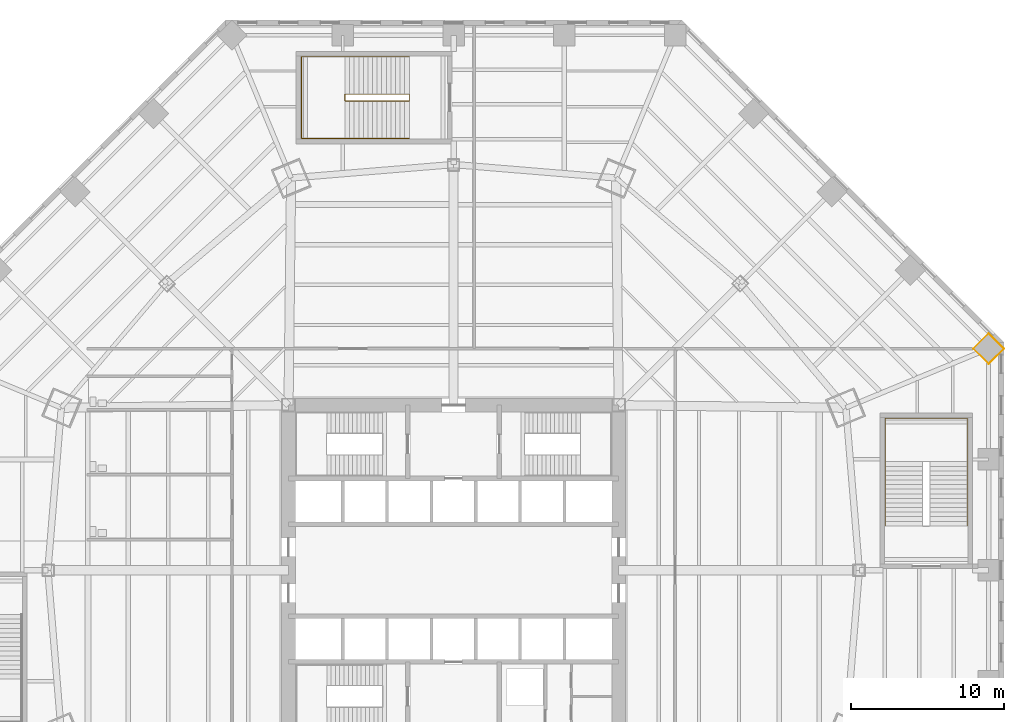
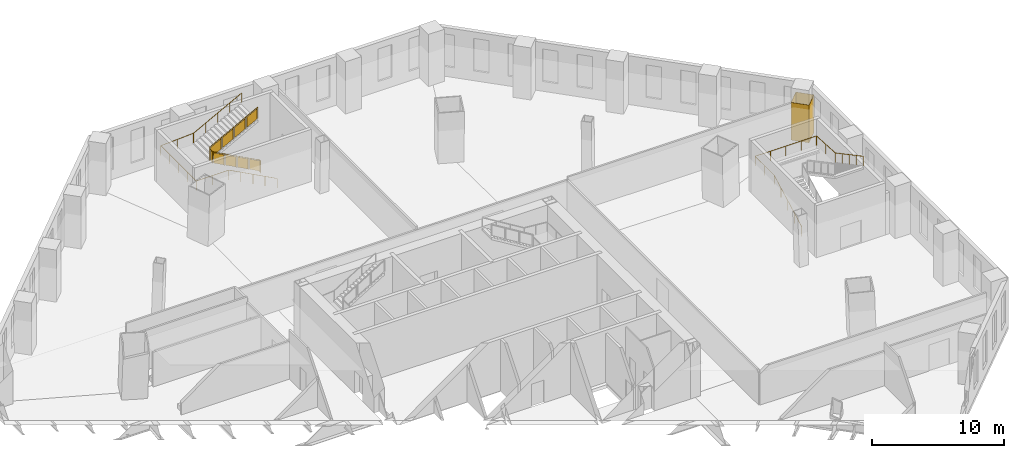
# One storey, part 18 of 19: 3 railings, 1 covering.
"""IFC4 building model written with IfcOpenShell, lengths in metres."""

from ifc_helpers import new_model, si_unit, direction, frame, origin, origin_2d, place, context, subcontext, project, spatial, polyline, circle, outline, extrude, material, layer, layer_set, type_object, element, save


model = new_model("IFC4")

# Units and contexts
model_context = context("Model", 3, precision=1e-05, world=origin(), true_north=direction((0.0, 1.0)))
body_context = subcontext(model_context, "Body", "Model", "MODEL_VIEW")
ifc_project = project(units=[si_unit("LENGTHUNIT", "METRE"), si_unit("AREAUNIT", "SQUARE_METRE"), si_unit("VOLUMEUNIT", "CUBIC_METRE"), si_unit("PLANEANGLEUNIT", "RADIAN"), si_unit("MASSUNIT", "GRAM", prefix="KILO")], contexts=[model_context])

# Site, building, storey
site_placement = place(None, origin())
site = spatial("IfcSite", under=ifc_project, at=site_placement, CompositionType="ELEMENT")
building_placement = place(site_placement, origin())
building = spatial("IfcBuilding", under=site, at=building_placement, Name="Mashrafa Tower", CompositionType="ELEMENT")
storey_placement = place(building_placement, frame((0.0, 0.0, 24.0)))
storey = spatial("IfcBuildingStorey", under=building, at=storey_placement, Name="L04", CompositionType="ELEMENT", Elevation=24.0)

# Covering
ifc_material_1 = material(Name="Gypsum board")
ifc_layer = layer(ifc_material_1, 0.014892578125)
ifc_layer_set = layer_set([ifc_layer], Name="Column casing plasterboard 15")
covering_type = type_object("IfcCoveringType", Name="Column casing plasterboard 15", PredefinedType="CLADDING", material=ifc_layer_set)
covering_placement = place(storey_placement, origin())
element("IfcCovering", 1, at=covering_placement, inside=storey, type_object=covering_type, Name="Column casing L04-001", PredefinedType="CLADDING", context=body_context, shape_type="SweptSolid", body=[
    extrude(outline(polyline([(33.98876953125, 14.49755859375), (35.0, 15.508544921875), (36.01123046875, 14.49755859375), (35.0, 13.486328125), (33.98876953125, 14.49755859375)]), holes=[polyline([(35.989990234375, 14.49755859375), (35.0, 15.4873046875), (34.010009765625, 14.49755859375), (35.0, 13.507568359375), (35.989990234375, 14.49755859375)])]), origin(), (0.0, 0.0, 1.0), 3.47900390625),
])

# Railings
ifc_material_2 = material(Name="Steel guard with glass infill", Category="steel")
railing_type_1 = type_object("IfcRailingType", Name="Stair guard 1100", PredefinedType="GUARDRAIL", material=ifc_material_2)
railing_1_placement = place(storey_placement, frame((-2.89990234375, 31.14990234375, 0.0)))
element("IfcRailing", 2, at=railing_1_placement, inside=storey, type_object=railing_type_1, Name="Stair P2 guard L04", PredefinedType="GUARDRAIL", context=body_context, shape_type="SweptSolid", body=[
    extrude(circle(Radius=0.02392578125, at=origin_2d()), frame((0.0, 0.0, 1.076171875), z_axis=(0.0, -1.0, 0.0), x_axis=(1.0, 0.0, 0.0)), (0.0, 0.0, 1.0), 0.449951171875),
    extrude(circle(Radius=0.02392578125, at=origin_2d()), frame((0.0, -0.449951171875, 1.076171875), z_axis=(0.0, 0.0, 1.0), x_axis=(1.0, 0.0, 0.0)), (0.0, 0.0, 1.0), 0.159912109375),
    extrude(circle(Radius=0.02392578125, at=origin_2d()), frame((0.0, -0.449951171875, 1.23583984375), z_axis=(-0.882362879185, 0.0, 0.470569601054), x_axis=(0.0, -1.0, 0.0)), (0.0, 0.0, 1.0), 4.76025390625),
    extrude(circle(Radius=0.02392578125, at=origin_2d()), frame((-4.2001953125, -0.449951171875, 3.47607421875), z_axis=(0.0, 1.0, 0.0), x_axis=(-1.0, 0.0, 0.0)), (0.0, 0.0, 1.0), 0.449951171875),
    extrude(circle(Radius=0.02392578125, at=origin_2d()), frame((-4.2001953125, 0.0, 3.47607421875), z_axis=(0.0, 0.0, 1.0), x_axis=(1.0, 0.0, 0.0)), (0.0, 0.0, 1.0), 0.16015625),
    extrude(circle(Radius=0.02392578125, at=origin_2d()), frame((-4.2001953125, 0.0, 3.63623046875), z_axis=(0.882362879185, 0.0, 0.470569601054), x_axis=(0.0, 1.0, 0.0)), (0.0, 0.0, 1.0), 4.76025390625),
    extrude(circle(Radius=0.02099609375, at=origin_2d()), origin(), (0.0, 0.0, 1.0), 1.052001953125),
    extrude(circle(Radius=0.02099609375, at=origin_2d()), frame((0.0, -0.449951171875, 0.0)), (0.0, 0.0, 1.0), 1.052001953125),
    extrude(circle(Radius=0.02099609375, at=origin_2d()), frame((0.0, -0.449951171875, 0.159912109375)), (0.0, 0.0, 1.0), 1.052001953125),
    extrude(circle(Radius=0.02099609375, at=origin_2d()), frame((-1.050048828125, -0.449951171875, 0.719970703125)), (0.0, 0.0, 1.0), 1.052001953125),
    extrude(circle(Radius=0.02099609375, at=origin_2d()), frame((-2.10009765625, -0.449951171875, 1.27978515625)), (0.0, 0.0, 1.0), 1.052001953125),
    extrude(circle(Radius=0.02099609375, at=origin_2d()), frame((-3.150146484375, -0.449951171875, 1.83984375)), (0.0, 0.0, 1.0), 1.052001953125),
    extrude(circle(Radius=0.02099609375, at=origin_2d()), frame((-4.2001953125, -0.449951171875, 2.39990234375)), (0.0, 0.0, 1.0), 1.052001953125),
    extrude(circle(Radius=0.02099609375, at=origin_2d()), frame((-4.2001953125, 0.0, 2.39990234375)), (0.0, 0.0, 1.0), 1.052001953125),
    extrude(circle(Radius=0.02099609375, at=origin_2d()), frame((-4.2001953125, 0.0, 2.56005859375)), (0.0, 0.0, 1.0), 1.052001953125),
    extrude(circle(Radius=0.02099609375, at=origin_2d()), frame((-3.150146484375, 0.0, 3.1201171875)), (0.0, 0.0, 1.0), 1.052001953125),
    extrude(circle(Radius=0.02099609375, at=origin_2d()), frame((-2.10009765625, 0.0, 3.68017578125)), (0.0, 0.0, 1.0), 1.052001953125),
    extrude(circle(Radius=0.02099609375, at=origin_2d()), frame((-1.050048828125, 0.0, 4.239990234375)), (0.0, 0.0, 1.0), 1.052001953125),
    extrude(circle(Radius=0.02099609375, at=origin_2d()), frame((0.0, 0.0, 4.800048828125)), (0.0, 0.0, 1.0), 1.052001953125),
    extrude(outline(polyline([(0.071044921875, 0.050048828125), (0.37890625, 0.050048828125), (0.37890625, 1.001953125), (0.071044921875, 1.001953125), (0.071044921875, 0.050048828125)])), frame((-0.006103515625, 0.0, 0.0), z_axis=(-1.0, 0.0, 0.0), x_axis=(0.0, -1.0, 0.0)), (0.0, 0.0, 1.0), 0.011962890625),
    extrude(outline(polyline([(0.071044921875, 0.087890625), (0.97900390625, 0.572021484375), (0.97900390625, 1.524169921875), (0.071044921875, 1.039794921875), (0.071044921875, 0.087890625)])), frame((0.0, -0.44384765625, 0.159912109375), z_axis=(0.0, 1.0, 0.0), x_axis=(-1.0, 0.0, 0.0)), (0.0, 0.0, 1.0), 0.011962890625),
    extrude(outline(polyline([(1.12109375, 0.64794921875), (2.029052734375, 1.132080078125), (2.029052734375, 2.084228515625), (1.12109375, 1.599853515625), (1.12109375, 0.64794921875)])), frame((0.0, -0.44384765625, 0.159912109375), z_axis=(0.0, 1.0, 0.0), x_axis=(-1.0, 0.0, 0.0)), (0.0, 0.0, 1.0), 0.011962890625),
    extrude(outline(polyline([(2.171142578125, 1.207763671875), (3.0791015625, 1.692138671875), (3.0791015625, 2.64404296875), (2.171142578125, 2.159912109375), (2.171142578125, 1.207763671875)])), frame((0.0, -0.44384765625, 0.159912109375), z_axis=(0.0, 1.0, 0.0), x_axis=(-1.0, 0.0, 0.0)), (0.0, 0.0, 1.0), 0.011962890625),
    extrude(outline(polyline([(3.22119140625, 1.767822265625), (4.129150390625, 2.252197265625), (4.129150390625, 3.2041015625), (3.22119140625, 2.719970703125), (3.22119140625, 1.767822265625)])), frame((0.0, -0.44384765625, 0.159912109375), z_axis=(0.0, 1.0, 0.0), x_axis=(-1.0, 0.0, 0.0)), (0.0, 0.0, 1.0), 0.011962890625),
    extrude(outline(polyline([(0.071044921875, 0.050048828125), (0.37890625, 0.050048828125), (0.37890625, 1.001953125), (0.071044921875, 1.001953125), (0.071044921875, 0.050048828125)])), frame((-4.194091796875, -0.449951171875, 2.39990234375), z_axis=(1.0, 0.0, 0.0), x_axis=(0.0, 1.0, 0.0)), (0.0, 0.0, 1.0), 0.011962890625),
    extrude(outline(polyline([(0.071044921875, 0.087890625), (0.97900390625, 0.572021484375), (0.97900390625, 1.524169921875), (0.071044921875, 1.039794921875), (0.071044921875, 0.087890625)])), frame((-4.2001953125, -0.006103515625, 2.56005859375), z_axis=(0.0, -1.0, 0.0), x_axis=(1.0, 0.0, 0.0)), (0.0, 0.0, 1.0), 0.011962890625),
    extrude(outline(polyline([(1.12109375, 0.64794921875), (2.029052734375, 1.132080078125), (2.029052734375, 2.084228515625), (1.12109375, 1.599853515625), (1.12109375, 0.64794921875)])), frame((-4.2001953125, -0.006103515625, 2.56005859375), z_axis=(0.0, -1.0, 0.0), x_axis=(1.0, 0.0, 0.0)), (0.0, 0.0, 1.0), 0.011962890625),
    extrude(outline(polyline([(2.171142578125, 1.207763671875), (3.0791015625, 1.692138671875), (3.0791015625, 2.64404296875), (2.171142578125, 2.159912109375), (2.171142578125, 1.207763671875)])), frame((-4.2001953125, -0.006103515625, 2.56005859375), z_axis=(0.0, -1.0, 0.0), x_axis=(1.0, 0.0, 0.0)), (0.0, 0.0, 1.0), 0.011962890625),
    extrude(outline(polyline([(3.22119140625, 1.767822265625), (4.129150390625, 2.252197265625), (4.129150390625, 3.2041015625), (3.22119140625, 2.719970703125), (3.22119140625, 1.767822265625)])), frame((-4.2001953125, -0.006103515625, 2.56005859375), z_axis=(0.0, -1.0, 0.0), x_axis=(1.0, 0.0, 0.0)), (0.0, 0.0, 1.0), 0.011962890625),
])
ifc_material_3 = material(Name="Steel", Category="steel")
railing_type_2 = type_object("IfcRailingType", Name="Stair handrail 900", PredefinedType="HANDRAIL", material=ifc_material_3)
railing_2_placement = place(storey_placement, frame((28.25, 2.89990234375, 0.159912109375)))
element("IfcRailing", 3, at=railing_2_placement, inside=storey, type_object=railing_type_2, Name="Stair P1 handrail L04", PredefinedType="HANDRAIL", context=body_context, shape_type="SweptSolid", body=[
    extrude(circle(Radius=0.02392578125, at=origin_2d()), frame((0.0, 0.0, 0.8759765625), z_axis=(0.0, 0.882362879185, 0.470569601054), x_axis=(-1.0, 0.0, 0.0)), (0.0, 0.0, 1.0), 4.76025390625),
    extrude(circle(Radius=0.02392578125, at=origin_2d()), frame((0.0, 4.2001953125, 3.11572265625), z_axis=(0.0, 1.0, 0.0), x_axis=(-1.0, 0.0, 0.0)), (0.0, 0.0, 1.0), 2.849853515625),
    extrude(circle(Radius=0.02392578125, at=origin_2d()), frame((0.0, 7.050048828125, 3.11572265625), z_axis=(1.0, 0.0, 0.0), x_axis=(0.0, 1.0, 0.0)), (0.0, 0.0, 1.0), 5.35009765625),
    extrude(circle(Radius=0.02392578125, at=origin_2d()), frame((5.35009765625, 7.050048828125, 3.11572265625), z_axis=(0.0, -0.998424619378, 0.056109530567), x_axis=(1.0, 0.0, 0.0)), (0.0, 0.0, 1.0), 2.854248046875),
    extrude(circle(Radius=0.02392578125, at=origin_2d()), frame((5.35009765625, 4.2001953125, 3.27587890625), z_axis=(0.0, -0.882362879185, 0.470569601054), x_axis=(1.0, 0.0, 0.0)), (0.0, 0.0, 1.0), 4.76025390625),
    extrude(circle(Radius=0.02099609375, at=origin_2d()), origin(), (0.0, 0.0, 1.0), 0.851806640625),
    extrude(circle(Radius=0.02099609375, at=origin_2d()), frame((0.0, 1.050048828125, 0.56005859375)), (0.0, 0.0, 1.0), 0.851806640625),
    extrude(circle(Radius=0.02099609375, at=origin_2d()), frame((0.0, 2.10009765625, 1.1201171875)), (0.0, 0.0, 1.0), 0.851806640625),
    extrude(circle(Radius=0.02099609375, at=origin_2d()), frame((0.0, 3.150146484375, 1.679931640625)), (0.0, 0.0, 1.0), 0.851806640625),
    extrude(circle(Radius=0.02099609375, at=origin_2d()), frame((0.0, 4.2001953125, 2.239990234375)), (0.0, 0.0, 1.0), 0.851806640625),
    extrude(circle(Radius=0.02099609375, at=origin_2d()), frame((0.0, 5.625, 2.239990234375)), (0.0, 0.0, 1.0), 0.851806640625),
    extrude(circle(Radius=0.02099609375, at=origin_2d()), frame((0.0, 7.050048828125, 2.239990234375)), (0.0, 0.0, 1.0), 0.851806640625),
    extrude(circle(Radius=0.02099609375, at=origin_2d()), frame((1.33740234375, 7.050048828125, 2.239990234375)), (0.0, 0.0, 1.0), 0.851806640625),
    extrude(circle(Radius=0.02099609375, at=origin_2d()), frame((2.675048828125, 7.050048828125, 2.239990234375)), (0.0, 0.0, 1.0), 0.851806640625),
    extrude(circle(Radius=0.02099609375, at=origin_2d()), frame((4.0126953125, 7.050048828125, 2.239990234375)), (0.0, 0.0, 1.0), 0.851806640625),
    extrude(circle(Radius=0.02099609375, at=origin_2d()), frame((5.35009765625, 7.050048828125, 2.239990234375)), (0.0, 0.0, 1.0), 0.851806640625),
    extrude(circle(Radius=0.02099609375, at=origin_2d()), frame((5.35009765625, 5.625, 2.320068359375)), (0.0, 0.0, 1.0), 0.851806640625),
    extrude(circle(Radius=0.02099609375, at=origin_2d()), frame((5.35009765625, 4.2001953125, 2.400146484375)), (0.0, 0.0, 1.0), 0.851806640625),
    extrude(circle(Radius=0.02099609375, at=origin_2d()), frame((5.35009765625, 3.150146484375, 2.960205078125)), (0.0, 0.0, 1.0), 0.851806640625),
    extrude(circle(Radius=0.02099609375, at=origin_2d()), frame((5.35009765625, 2.10009765625, 3.52001953125)), (0.0, 0.0, 1.0), 0.851806640625),
    extrude(circle(Radius=0.02099609375, at=origin_2d()), frame((5.35009765625, 1.050048828125, 4.080078125)), (0.0, 0.0, 1.0), 0.851806640625),
    extrude(circle(Radius=0.02099609375, at=origin_2d()), frame((5.35009765625, 0.0, 4.64013671875)), (0.0, 0.0, 1.0), 0.851806640625),
])
railing_3_placement = place(storey_placement, frame((-2.89990234375, 28.25, 0.159912109375)))
element("IfcRailing", 4, at=railing_3_placement, inside=storey, type_object=railing_type_2, Name="Stair P2 handrail L04", PredefinedType="HANDRAIL", context=body_context, shape_type="SweptSolid", body=[
    extrude(circle(Radius=0.02392578125, at=origin_2d()), frame((0.0, 0.0, 0.8759765625), z_axis=(-0.882362879185, 0.0, 0.470569601054), x_axis=(0.0, -1.0, 0.0)), (0.0, 0.0, 1.0), 4.76025390625),
    extrude(circle(Radius=0.02392578125, at=origin_2d()), frame((-4.2001953125, 0.0, 3.11572265625), z_axis=(-1.0, 0.0, 0.0), x_axis=(0.0, -1.0, 0.0)), (0.0, 0.0, 1.0), 2.849853515625),
    extrude(circle(Radius=0.02392578125, at=origin_2d()), frame((-7.050048828125, 0.0, 3.11572265625), z_axis=(0.0, 1.0, 0.0), x_axis=(-1.0, 0.0, 0.0)), (0.0, 0.0, 1.0), 5.35009765625),
    extrude(circle(Radius=0.02392578125, at=origin_2d()), frame((-7.050048828125, 5.35009765625, 3.11572265625), z_axis=(0.998424619378, 0.0, 0.056109530567), x_axis=(0.0, 1.0, 0.0)), (0.0, 0.0, 1.0), 2.854248046875),
    extrude(circle(Radius=0.02392578125, at=origin_2d()), frame((-4.2001953125, 5.35009765625, 3.27587890625), z_axis=(0.882362879185, 0.0, 0.470569601054), x_axis=(0.0, 1.0, 0.0)), (0.0, 0.0, 1.0), 4.76025390625),
    extrude(circle(Radius=0.02099609375, at=origin_2d()), origin(), (0.0, 0.0, 1.0), 0.851806640625),
    extrude(circle(Radius=0.02099609375, at=origin_2d()), frame((-1.050048828125, 0.0, 0.56005859375)), (0.0, 0.0, 1.0), 0.851806640625),
    extrude(circle(Radius=0.02099609375, at=origin_2d()), frame((-2.10009765625, 0.0, 1.1201171875)), (0.0, 0.0, 1.0), 0.851806640625),
    extrude(circle(Radius=0.02099609375, at=origin_2d()), frame((-3.150146484375, 0.0, 1.679931640625)), (0.0, 0.0, 1.0), 0.851806640625),
    extrude(circle(Radius=0.02099609375, at=origin_2d()), frame((-4.2001953125, 0.0, 2.239990234375)), (0.0, 0.0, 1.0), 0.851806640625),
    extrude(circle(Radius=0.02099609375, at=origin_2d()), frame((-5.625, 0.0, 2.239990234375)), (0.0, 0.0, 1.0), 0.851806640625),
    extrude(circle(Radius=0.02099609375, at=origin_2d()), frame((-7.050048828125, 0.0, 2.239990234375)), (0.0, 0.0, 1.0), 0.851806640625),
    extrude(circle(Radius=0.02099609375, at=origin_2d()), frame((-7.050048828125, 1.33740234375, 2.239990234375)), (0.0, 0.0, 1.0), 0.851806640625),
    extrude(circle(Radius=0.02099609375, at=origin_2d()), frame((-7.050048828125, 2.675048828125, 2.239990234375)), (0.0, 0.0, 1.0), 0.851806640625),
    extrude(circle(Radius=0.02099609375, at=origin_2d()), frame((-7.050048828125, 4.0126953125, 2.239990234375)), (0.0, 0.0, 1.0), 0.851806640625),
    extrude(circle(Radius=0.02099609375, at=origin_2d()), frame((-7.050048828125, 5.35009765625, 2.239990234375)), (0.0, 0.0, 1.0), 0.851806640625),
    extrude(circle(Radius=0.02099609375, at=origin_2d()), frame((-5.625, 5.35009765625, 2.320068359375)), (0.0, 0.0, 1.0), 0.851806640625),
    extrude(circle(Radius=0.02099609375, at=origin_2d()), frame((-4.2001953125, 5.35009765625, 2.400146484375)), (0.0, 0.0, 1.0), 0.851806640625),
    extrude(circle(Radius=0.02099609375, at=origin_2d()), frame((-3.150146484375, 5.35009765625, 2.960205078125)), (0.0, 0.0, 1.0), 0.851806640625),
    extrude(circle(Radius=0.02099609375, at=origin_2d()), frame((-2.10009765625, 5.35009765625, 3.52001953125)), (0.0, 0.0, 1.0), 0.851806640625),
    extrude(circle(Radius=0.02099609375, at=origin_2d()), frame((-1.050048828125, 5.35009765625, 4.080078125)), (0.0, 0.0, 1.0), 0.851806640625),
    extrude(circle(Radius=0.02099609375, at=origin_2d()), frame((0.0, 5.35009765625, 4.64013671875)), (0.0, 0.0, 1.0), 0.851806640625),
])

save(model, "model.ifc")
